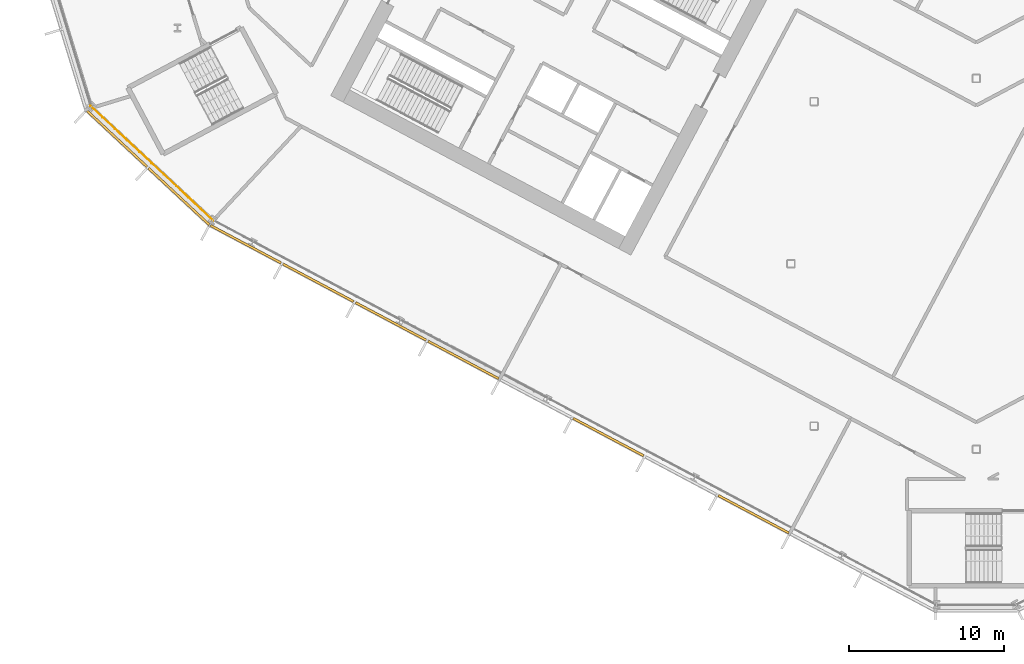
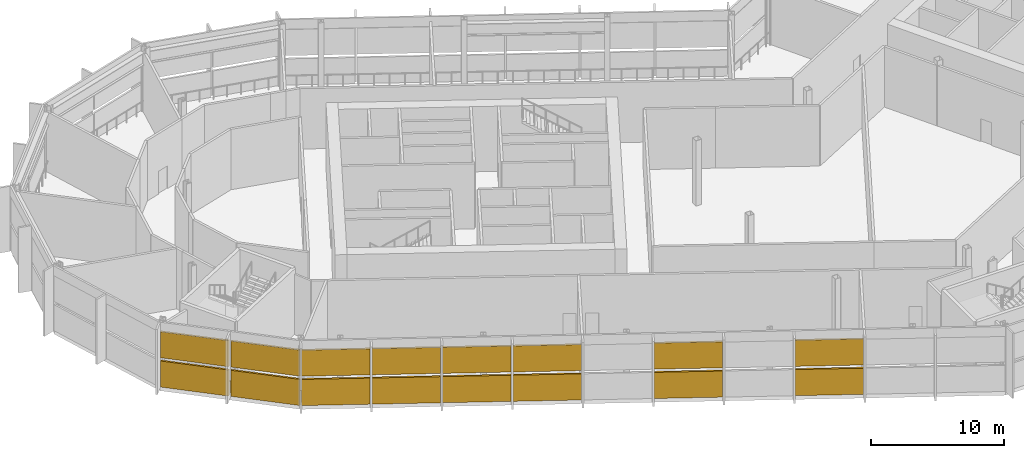
# One storey, part 19 of 33: 16 shading devices, 1 railing, 2 elements without a shape of their own.
"""IFC4 building model written with IfcOpenShell, lengths in metres."""

from ifc_helpers import new_model, si_unit, direction, frame, origin, origin_2d, place, context, subcontext, project, spatial, polyline, rectangle, outline, extrude, material, layer, layer_set, type_object, element, aggregate, save


model = new_model("IFC4")

# Units and contexts
model_context = context("Model", 3, precision=1e-05, world=origin(), true_north=direction((0.0, 1.0)))
body_context = subcontext(model_context, "Body", "Model", "MODEL_VIEW")
ifc_project = project(units=[si_unit("LENGTHUNIT", "METRE"), si_unit("AREAUNIT", "SQUARE_METRE"), si_unit("VOLUMEUNIT", "CUBIC_METRE"), si_unit("PLANEANGLEUNIT", "RADIAN"), si_unit("MASSUNIT", "GRAM", prefix="KILO")], contexts=[model_context])

# Site, building, storey
site_placement = place(None, origin())
site = spatial("IfcSite", under=ifc_project, at=site_placement, CompositionType="ELEMENT")
building_placement = place(site_placement, origin())
building = spatial("IfcBuilding", under=site, at=building_placement, Name="Cormorant Relay Tower", CompositionType="ELEMENT")
storey_placement = place(building_placement, frame((0.0, 0.0, 112.199951171875)))
storey = spatial("IfcBuildingStorey", under=building, at=storey_placement, Name="L22", CompositionType="ELEMENT", Elevation=112.199951171875)

# Railing
ifc_material_1 = material(Name="Stainless steel 316 guard", Category="steel")
railing_type = type_object("IfcRailingType", Name="Band louvre guard 1100", PredefinedType="GUARDRAIL", material=ifc_material_1)
railing_placement = place(storey_placement, frame((-57.337158203125, 10.21728515625, 0.0)))
element("IfcRailing", 1, at=railing_placement, inside=storey, type_object=railing_type, Name="CW4 guard 13", PredefinedType="GUARDRAIL", context=body_context, shape_type="SweptSolid", body=[
    extrude(outline(polyline([(0.022216796875, 0.00927734375), (0.00927734375, 0.022216796875), (-0.00927734375, 0.022216796875), (-0.022216796875, 0.00927734375), (-0.022216796875, -0.00927734375), (-0.00927734375, -0.022216796875), (0.00927734375, -0.022216796875), (0.022216796875, -0.00927734375), (0.022216796875, 0.00927734375)])), frame((0.0, 0.0, 1.076171875), z_axis=(0.731358420696, -0.681993299437, 0.0), x_axis=(0.681993299437, 0.731358420696, 0.0)), (0.0, 0.0, 1.0), 10.870361328125),
    extrude(outline(polyline([(0.019287109375, 0.008056640625), (0.008056640625, 0.019287109375), (-0.008056640625, 0.019287109375), (-0.019287109375, 0.008056640625), (-0.019287109375, -0.008056640625), (-0.008056640625, -0.019287109375), (0.008056640625, -0.019287109375), (0.019287109375, -0.008056640625), (0.019287109375, 0.008056640625)])), origin(), (0.0, 0.0, 1.0), 1.052001953125),
    extrude(outline(polyline([(0.019287109375, 0.008056640625), (0.008056640625, 0.019287109375), (-0.008056640625, 0.019287109375), (-0.019287109375, 0.008056640625), (-0.019287109375, -0.008056640625), (-0.008056640625, -0.019287109375), (0.008056640625, -0.019287109375), (0.019287109375, -0.008056640625), (0.019287109375, 0.008056640625)])), frame((0.794921875, -0.741455078125, 0.0)), (0.0, 0.0, 1.0), 1.052001953125),
    extrude(outline(polyline([(0.019287109375, 0.008056640625), (0.008056640625, 0.019287109375), (-0.008056640625, 0.019287109375), (-0.019287109375, 0.008056640625), (-0.019287109375, -0.008056640625), (-0.008056640625, -0.019287109375), (0.008056640625, -0.019287109375), (0.019287109375, -0.008056640625), (0.019287109375, 0.008056640625)])), frame((1.590087890625, -1.482666015625, 0.0)), (0.0, 0.0, 1.0), 1.052001953125),
    extrude(outline(polyline([(0.019287109375, 0.008056640625), (0.008056640625, 0.019287109375), (-0.008056640625, 0.019287109375), (-0.019287109375, 0.008056640625), (-0.019287109375, -0.008056640625), (-0.008056640625, -0.019287109375), (0.008056640625, -0.019287109375), (0.019287109375, -0.008056640625), (0.019287109375, 0.008056640625)])), frame((2.385009765625, -2.22412109375, 0.0)), (0.0, 0.0, 1.0), 1.052001953125),
    extrude(outline(polyline([(0.019287109375, 0.008056640625), (0.008056640625, 0.019287109375), (-0.008056640625, 0.019287109375), (-0.019287109375, 0.008056640625), (-0.019287109375, -0.008056640625), (-0.008056640625, -0.019287109375), (0.008056640625, -0.019287109375), (0.019287109375, -0.008056640625), (0.019287109375, 0.008056640625)])), frame((3.18017578125, -2.96533203125, 0.0)), (0.0, 0.0, 1.0), 1.052001953125),
    extrude(outline(polyline([(0.019287109375, 0.008056640625), (0.008056640625, 0.019287109375), (-0.008056640625, 0.019287109375), (-0.019287109375, 0.008056640625), (-0.019287109375, -0.008056640625), (-0.008056640625, -0.019287109375), (0.008056640625, -0.019287109375), (0.019287109375, -0.008056640625), (0.019287109375, 0.008056640625)])), frame((3.97509765625, -3.706787109375, 0.0)), (0.0, 0.0, 1.0), 1.052001953125),
    extrude(outline(polyline([(0.019287109375, 0.008056640625), (0.008056640625, 0.019287109375), (-0.008056640625, 0.019287109375), (-0.019287109375, 0.008056640625), (-0.019287109375, -0.008056640625), (-0.008056640625, -0.019287109375), (0.008056640625, -0.019287109375), (0.019287109375, -0.008056640625), (0.019287109375, 0.008056640625)])), frame((4.77001953125, -4.4482421875, 0.0)), (0.0, 0.0, 1.0), 1.052001953125),
    extrude(outline(polyline([(0.019287109375, 0.008056640625), (0.008056640625, 0.019287109375), (-0.008056640625, 0.019287109375), (-0.019287109375, 0.008056640625), (-0.019287109375, -0.008056640625), (-0.008056640625, -0.019287109375), (0.008056640625, -0.019287109375), (0.019287109375, -0.008056640625), (0.019287109375, 0.008056640625)])), frame((5.565185546875, -5.189453125, 0.0)), (0.0, 0.0, 1.0), 1.052001953125),
    extrude(outline(polyline([(0.019287109375, 0.008056640625), (0.008056640625, 0.019287109375), (-0.008056640625, 0.019287109375), (-0.019287109375, 0.008056640625), (-0.019287109375, -0.008056640625), (-0.008056640625, -0.019287109375), (0.008056640625, -0.019287109375), (0.019287109375, -0.008056640625), (0.019287109375, 0.008056640625)])), frame((6.360107421875, -5.930908203125, 0.0)), (0.0, 0.0, 1.0), 1.052001953125),
    extrude(outline(polyline([(0.019287109375, 0.008056640625), (0.008056640625, 0.019287109375), (-0.008056640625, 0.019287109375), (-0.019287109375, 0.008056640625), (-0.019287109375, -0.008056640625), (-0.008056640625, -0.019287109375), (0.008056640625, -0.019287109375), (0.019287109375, -0.008056640625), (0.019287109375, 0.008056640625)])), frame((7.1552734375, -6.672119140625, 0.0)), (0.0, 0.0, 1.0), 1.052001953125),
    extrude(outline(polyline([(0.019287109375, 0.008056640625), (0.008056640625, 0.019287109375), (-0.008056640625, 0.019287109375), (-0.019287109375, 0.008056640625), (-0.019287109375, -0.008056640625), (-0.008056640625, -0.019287109375), (0.008056640625, -0.019287109375), (0.019287109375, -0.008056640625), (0.019287109375, 0.008056640625)])), frame((7.9501953125, -7.41357421875, 0.0)), (0.0, 0.0, 1.0), 1.052001953125),
])

# Curtain wall, shading devices
ifc_material_2 = material(Name="Aluminium 6063-T6 anodised bronze", Category="aluminium")
ifc_layer = layer(ifc_material_2, 0.199951171875)
ifc_layer_set = layer_set([ifc_layer], Name="CW4 band louvre wall")
curtain_wall_type = type_object("IfcCurtainWallType", Name="CW4 band louvre wall", PredefinedType="NOTDEFINED", material=ifc_layer_set)
curtain_wall_1_placement = place(storey_placement, origin())
curtain_wall_1 = element("IfcCurtainWall", 2, at=curtain_wall_1_placement, inside=storey, type_object=curtain_wall_type, Name="CW4 curtain wall 13", PredefinedType="NOTDEFINED")
ifc_material_3 = material(Name="Aluminium 6063-T6 anodised bronze louvre", Category="aluminium")
shading_device_type = type_object("IfcShadingDeviceType", Name="CW4 bronze louvre bank 150 x 2400", PredefinedType="USERDEFINED", material=ifc_material_3)
shading_device_1_placement = place(storey_placement, frame((-55.605224609375, 8.089599609375, 2.7001953125), z_axis=(0.0, 0.0, 1.0), x_axis=(0.731353701619, -0.681998360062, 0.0)))
shading_device_1 = element("IfcShadingDevice", 3, at=shading_device_1_placement, type_object=shading_device_type, Name="CW4 louvre bank U13.1", ObjectType="LOUVRE", PredefinedType="USERDEFINED", context=body_context, shape_type="SweptSolid", body=[
    extrude(rectangle(XDim=5.28515625, YDim=0.14990234375, at=origin_2d()), origin(), (0.0, 0.0, 1.0), 2.39990234375),
])
shading_device_2_placement = place(storey_placement, frame((-55.605224609375, 8.089599609375, 0.0), z_axis=(0.0, 0.0, 1.0), x_axis=(0.731353701619, -0.681998360062, 0.0)))
shading_device_2 = element("IfcShadingDevice", 4, at=shading_device_2_placement, type_object=shading_device_type, Name="CW4 louvre bank D13.1", ObjectType="LOUVRE", PredefinedType="USERDEFINED", context=body_context, shape_type="SweptSolid", body=[
    extrude(rectangle(XDim=5.28515625, YDim=0.14990234375, at=origin_2d()), origin(), (0.0, 0.0, 1.0), 2.39990234375),
])
shading_device_3_placement = place(storey_placement, frame((-51.602783203125, 4.357421875, 2.7001953125), z_axis=(0.0, 0.0, 1.0), x_axis=(0.731353701619, -0.681998360062, 0.0)))
shading_device_3 = element("IfcShadingDevice", 5, at=shading_device_3_placement, type_object=shading_device_type, Name="CW4 louvre bank U13.2", ObjectType="LOUVRE", PredefinedType="USERDEFINED", context=body_context, shape_type="SweptSolid", body=[
    extrude(rectangle(XDim=5.360107421875, YDim=0.14990234375, at=origin_2d()), origin(), (0.0, 0.0, 1.0), 2.39990234375),
])
shading_device_4_placement = place(storey_placement, frame((-51.602783203125, 4.357421875, 0.0), z_axis=(0.0, 0.0, 1.0), x_axis=(0.731353701619, -0.681998360062, 0.0)))
shading_device_4 = element("IfcShadingDevice", 6, at=shading_device_4_placement, type_object=shading_device_type, Name="CW4 louvre bank D13.2", ObjectType="LOUVRE", PredefinedType="USERDEFINED", context=body_context, shape_type="SweptSolid", body=[
    extrude(rectangle(XDim=5.360107421875, YDim=0.14990234375, at=origin_2d()), origin(), (0.0, 0.0, 1.0), 2.39990234375),
])
aggregate(curtain_wall_1, [shading_device_1, shading_device_2, shading_device_3, shading_device_4])

curtain_wall_2_placement = place(storey_placement, origin())
curtain_wall_2 = element("IfcCurtainWall", 7, at=curtain_wall_2_placement, inside=storey, type_object=curtain_wall_type, Name="CW4 curtain wall 14", PredefinedType="NOTDEFINED")
shading_device_5_placement = place(storey_placement, frame((-47.279541015625, 1.27001953125, 2.7001953125), z_axis=(0.0, 0.0, 1.0), x_axis=(0.882947592859, -0.469471562786, 0.0)))
shading_device_5 = element("IfcShadingDevice", 8, at=shading_device_5_placement, type_object=shading_device_type, Name="CW4 louvre bank U14.1", ObjectType="LOUVRE", PredefinedType="USERDEFINED", context=body_context, shape_type="SweptSolid", body=[
    extrude(rectangle(XDim=5.16650390625, YDim=0.14990234375, at=origin_2d()), origin(), (0.0, 0.0, 1.0), 2.39990234375),
])
shading_device_6_placement = place(storey_placement, frame((-47.279541015625, 1.27001953125, 0.0), z_axis=(0.0, 0.0, 1.0), x_axis=(0.882947592859, -0.469471562786, 0.0)))
shading_device_6 = element("IfcShadingDevice", 9, at=shading_device_6_placement, type_object=shading_device_type, Name="CW4 louvre bank D14.1", ObjectType="LOUVRE", PredefinedType="USERDEFINED", context=body_context, shape_type="SweptSolid", body=[
    extrude(rectangle(XDim=5.16650390625, YDim=0.14990234375, at=origin_2d()), origin(), (0.0, 0.0, 1.0), 2.39990234375),
])
shading_device_7_placement = place(storey_placement, frame((-42.585205078125, -1.225830078125, 2.7001953125), z_axis=(0.0, 0.0, 1.0), x_axis=(0.882947592859, -0.469471562786, 0.0)))
shading_device_7 = element("IfcShadingDevice", 10, at=shading_device_7_placement, type_object=shading_device_type, Name="CW4 louvre bank U14.2", ObjectType="LOUVRE", PredefinedType="USERDEFINED", context=body_context, shape_type="SweptSolid", body=[
    extrude(rectangle(XDim=5.16650390625, YDim=0.14990234375, at=origin_2d()), origin(), (0.0, 0.0, 1.0), 2.39990234375),
])
shading_device_8_placement = place(storey_placement, frame((-42.585205078125, -1.225830078125, 0.0), z_axis=(0.0, 0.0, 1.0), x_axis=(0.882947592859, -0.469471562786, 0.0)))
shading_device_8 = element("IfcShadingDevice", 11, at=shading_device_8_placement, type_object=shading_device_type, Name="CW4 louvre bank D14.2", ObjectType="LOUVRE", PredefinedType="USERDEFINED", context=body_context, shape_type="SweptSolid", body=[
    extrude(rectangle(XDim=5.16650390625, YDim=0.14990234375, at=origin_2d()), origin(), (0.0, 0.0, 1.0), 2.39990234375),
])
shading_device_9_placement = place(storey_placement, frame((-37.89111328125, -3.721923828125, 2.7001953125), z_axis=(0.0, 0.0, 1.0), x_axis=(0.882947592859, -0.469471562786, 0.0)))
shading_device_9 = element("IfcShadingDevice", 12, at=shading_device_9_placement, type_object=shading_device_type, Name="CW4 louvre bank U14.3", ObjectType="LOUVRE", PredefinedType="USERDEFINED", context=body_context, shape_type="SweptSolid", body=[
    extrude(rectangle(XDim=5.16650390625, YDim=0.14990234375, at=origin_2d()), origin(), (0.0, 0.0, 1.0), 2.39990234375),
])
shading_device_10_placement = place(storey_placement, frame((-37.89111328125, -3.721923828125, 0.0), z_axis=(0.0, 0.0, 1.0), x_axis=(0.882947592859, -0.469471562786, 0.0)))
shading_device_10 = element("IfcShadingDevice", 13, at=shading_device_10_placement, type_object=shading_device_type, Name="CW4 louvre bank D14.3", ObjectType="LOUVRE", PredefinedType="USERDEFINED", context=body_context, shape_type="SweptSolid", body=[
    extrude(rectangle(XDim=5.16650390625, YDim=0.14990234375, at=origin_2d()), origin(), (0.0, 0.0, 1.0), 2.39990234375),
])
shading_device_11_placement = place(storey_placement, frame((-33.19677734375, -6.218017578125, 2.7001953125), z_axis=(0.0, 0.0, 1.0), x_axis=(0.882947592859, -0.469471562786, 0.0)))
shading_device_11 = element("IfcShadingDevice", 14, at=shading_device_11_placement, type_object=shading_device_type, Name="CW4 louvre bank U14.4", ObjectType="LOUVRE", PredefinedType="USERDEFINED", context=body_context, shape_type="SweptSolid", body=[
    extrude(rectangle(XDim=5.16650390625, YDim=0.14990234375, at=origin_2d()), origin(), (0.0, 0.0, 1.0), 2.39990234375),
])
shading_device_12_placement = place(storey_placement, frame((-33.19677734375, -6.218017578125, 0.0), z_axis=(0.0, 0.0, 1.0), x_axis=(0.882947592859, -0.469471562786, 0.0)))
shading_device_12 = element("IfcShadingDevice", 15, at=shading_device_12_placement, type_object=shading_device_type, Name="CW4 louvre bank D14.4", ObjectType="LOUVRE", PredefinedType="USERDEFINED", context=body_context, shape_type="SweptSolid", body=[
    extrude(rectangle(XDim=5.16650390625, YDim=0.14990234375, at=origin_2d()), origin(), (0.0, 0.0, 1.0), 2.39990234375),
])
shading_device_13_placement = place(storey_placement, frame((-23.808349609375, -11.209716796875, 2.7001953125), z_axis=(0.0, 0.0, 1.0), x_axis=(0.882947592859, -0.469471562786, 0.0)))
shading_device_13 = element("IfcShadingDevice", 16, at=shading_device_13_placement, type_object=shading_device_type, Name="CW4 louvre bank U14.6", ObjectType="LOUVRE", PredefinedType="USERDEFINED", context=body_context, shape_type="SweptSolid", body=[
    extrude(rectangle(XDim=5.16650390625, YDim=0.14990234375, at=origin_2d()), origin(), (0.0, 0.0, 1.0), 2.39990234375),
])
shading_device_14_placement = place(storey_placement, frame((-23.808349609375, -11.209716796875, 0.0), z_axis=(0.0, 0.0, 1.0), x_axis=(0.882947592859, -0.469471562786, 0.0)))
shading_device_14 = element("IfcShadingDevice", 17, at=shading_device_14_placement, type_object=shading_device_type, Name="CW4 louvre bank D14.6", ObjectType="LOUVRE", PredefinedType="USERDEFINED", context=body_context, shape_type="SweptSolid", body=[
    extrude(rectangle(XDim=5.16650390625, YDim=0.14990234375, at=origin_2d()), origin(), (0.0, 0.0, 1.0), 2.39990234375),
])
shading_device_15_placement = place(storey_placement, frame((-14.419677734375, -16.201904296875, 2.7001953125), z_axis=(0.0, 0.0, 1.0), x_axis=(0.882947592859, -0.469471562786, 0.0)))
shading_device_15 = element("IfcShadingDevice", 18, at=shading_device_15_placement, type_object=shading_device_type, Name="CW4 louvre bank U14.8", ObjectType="LOUVRE", PredefinedType="USERDEFINED", context=body_context, shape_type="SweptSolid", body=[
    extrude(rectangle(XDim=5.16650390625, YDim=0.14990234375, at=origin_2d()), origin(), (0.0, 0.0, 1.0), 2.39990234375),
])
shading_device_16_placement = place(storey_placement, frame((-14.419677734375, -16.201904296875, 0.0), z_axis=(0.0, 0.0, 1.0), x_axis=(0.882947592859, -0.469471562786, 0.0)))
shading_device_16 = element("IfcShadingDevice", 19, at=shading_device_16_placement, type_object=shading_device_type, Name="CW4 louvre bank D14.8", ObjectType="LOUVRE", PredefinedType="USERDEFINED", context=body_context, shape_type="SweptSolid", body=[
    extrude(rectangle(XDim=5.16650390625, YDim=0.14990234375, at=origin_2d()), origin(), (0.0, 0.0, 1.0), 2.39990234375),
])
aggregate(curtain_wall_2, [shading_device_5, shading_device_6, shading_device_7, shading_device_8, shading_device_9, shading_device_10, shading_device_11, shading_device_12, shading_device_13, shading_device_14, shading_device_15, shading_device_16])

save(model, "model.ifc")
